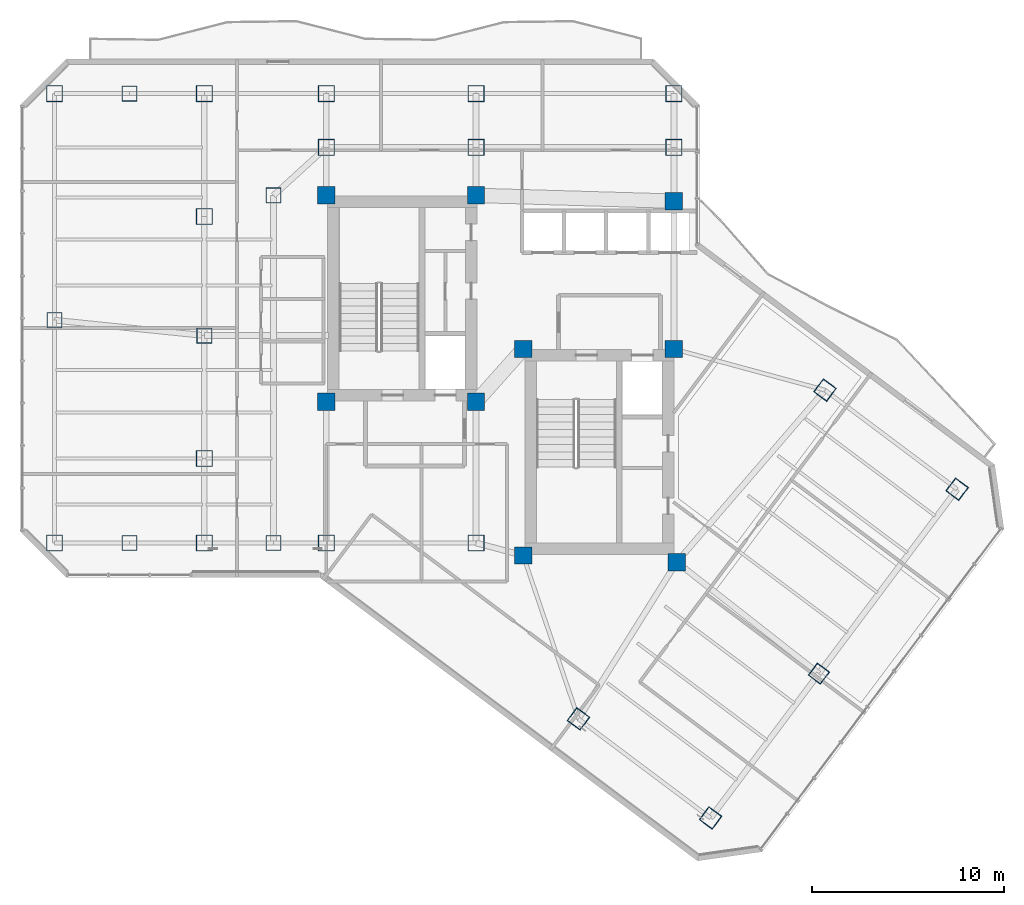
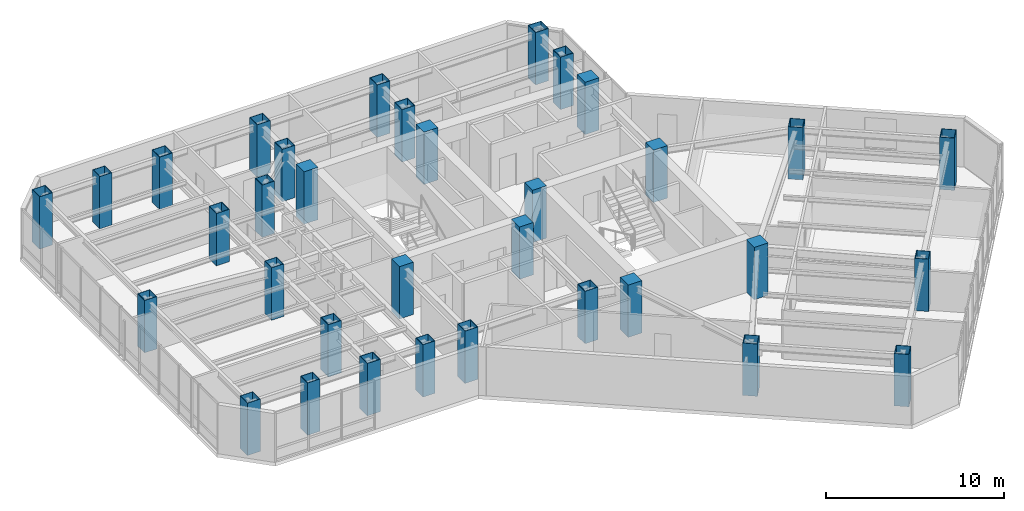
# One storey, part 1 of 27: 34 columns.
"""IFC4 building model written with IfcOpenShell, lengths in metres."""

from ifc_helpers import new_model, si_unit, direction, frame, origin, origin_2d, place, context, subcontext, project, spatial, rectangle, hollow_rectangle, extrude, material, material_profile, profile_set, type_object, element, save


model = new_model("IFC4")

# Units and contexts
model_context = context("Model", 3, precision=1e-05, world=origin(), true_north=direction((0.0, 1.0)))
body_context = subcontext(model_context, "Body", "Model", "MODEL_VIEW")
ifc_project = project(units=[si_unit("LENGTHUNIT", "METRE"), si_unit("AREAUNIT", "SQUARE_METRE"), si_unit("VOLUMEUNIT", "CUBIC_METRE"), si_unit("PLANEANGLEUNIT", "RADIAN"), si_unit("MASSUNIT", "GRAM", prefix="KILO")], contexts=[model_context])

# Site, building, storey
site_placement = place(None, origin())
site = spatial("IfcSite", under=ifc_project, at=site_placement, CompositionType="ELEMENT")
building_placement = place(site_placement, origin())
building = spatial("IfcBuilding", under=site, at=building_placement, Name="Hatsunagi Terrace Concourse", CompositionType="ELEMENT")
storey_placement = place(building_placement, frame((0.0, 0.0, 142.050048828125)))
storey = spatial("IfcBuildingStorey", under=building, at=storey_placement, Name="L37", CompositionType="ELEMENT", Elevation=142.050048828125)

# Columns
ifc_material_1 = material(Name="Concrete Fc48", Category="concrete")
ifc_material_profile_1 = material_profile(ifc_material_1, rectangle(XDim=0.89990234375, YDim=0.89990234375, at=origin_2d()), Name="RC-900x900")
ifc_profile_set_1 = profile_set([ifc_material_profile_1], Name="Concrete Fc48")
column_type_1 = type_object("IfcColumnType", Name="CoreColumn_RC_900x900", PredefinedType="COLUMN", material=ifc_profile_set_1)
for number, where, z_axis, x_axis, name in (
    (1, (25.550048828125, 32.550048828125, 0.0), (0.0, 0.0, 1.0), (1.0, 0.0, 0.0), "Column C-02 L37-CASW"),
    (2, (33.35009765625, 32.550048828125, 0.0), (0.0, 0.0, 1.0), (1.0, 0.0, 0.0), "Column C-02 L37-CASE"),
    (3, (25.550048828125, 43.300048828125, 0.0), (0.0, 0.0, 1.0), (1.0, 0.0, 0.0), "Column C-02 L37-CANW"),
    (4, (33.35009765625, 43.300048828125, 0.0), (0.0, 0.0, 1.0), (1.0, 0.0, 0.0), "Column C-02 L37-CANE"),
    (5, (35.800048828125, 24.550048828125, 0.0), (0.0, 0.0, 1.0), (1.0, 0.0, 0.0), "Column C-02 L37-CBSW"),
    (6, (43.800048828125, 24.199951171875, 0.0), (0.0, 0.0, 1.0), (1.0, 0.0, 0.0), "Column C-02 L37-CBSE"),
    (7, (35.800048828125, 35.300048828125, 0.0), (0.0, 0.0, 1.0), (1.0, 0.0, 0.0), "Column C-02 L37-CBNW"),
    (8, (43.64990234375, 35.300048828125, 0.0), (0.0, 0.0, 1.0), (1.0, 0.0, 0.0), "Column C-02 L37-CBNE"),
    (9, (43.64990234375, 43.0, 0.0), (0.0, 0.0, 1.0), (1.0, 0.0, 0.0), "Column C-02 L37-K3"),
):
    element("IfcColumn", number, at=place(storey_placement, frame(where, z_axis=z_axis, x_axis=x_axis)), inside=storey, type_object=column_type_1, Name=name, PredefinedType="COLUMN", context=body_context, shape_type="SweptSolid", body=[
        extrude(rectangle(XDim=0.89990234375, YDim=0.89990234375, at=origin_2d()), origin(), (0.0, 0.0, 1.0), 3.599853515625),
    ])
ifc_material_2 = material(Name="Steel BCP325T", Category="steel")
ifc_material_profile_2 = material_profile(ifc_material_2, hollow_rectangle(XDim=0.800048828125, YDim=0.800048828125, WallThickness=0.031982421875, at=origin_2d()), Name="BCP-800x800x32")
ifc_profile_set_2 = profile_set([ifc_material_profile_2], Name="Steel BCP325T")
column_type_2 = type_object("IfcColumnType", Name="TowerBoxColumn_800x800x32", PredefinedType="COLUMN", material=ifc_profile_set_2)
for number, where, z_axis, x_axis, name in (
    (10, (22.800048828125, 25.199951171875, 0.0), (0.0, 0.0, 1.0), (1.0, 0.0, 0.0), "Column C-06 L37-CW1"),
    (11, (22.800048828125, 43.300048828125, 0.0), (0.0, 0.0, 1.0), (1.0, 0.0, 0.0), "Column C-06 L37-CW2"),
    (12, (11.39990234375, 36.800048828125, 0.0), (0.0, 0.0, 1.0), (1.0, 0.0, 0.0), "Column C-06 L37-WT1"),
    (13, (19.199951171875, 36.0, 0.0), (0.0, 0.0, 1.0), (1.0, 0.0, 0.0), "Column C-06 L37-WT2"),
    (14, (15.300048828125, 25.199951171875, 0.0), (0.0, 0.0, 1.0), (1.0, 0.0, 0.0), "Column C-06 L37-WT3"),
    (15, (15.300048828125, 48.60009765625, 0.0), (0.0, 0.0, 1.0), (1.0, 0.0, 0.0), "Column C-06 L37-WT4"),
    (16, (51.199951171875, 18.39990234375, 0.0), (0.0, 0.0, 1.0), (0.799999996291, -0.600000004945, 0.0), "Column C-06 L37-SEM2"),
):
    element("IfcColumn", number, at=place(storey_placement, frame(where, z_axis=z_axis, x_axis=x_axis)), inside=storey, type_object=column_type_2, Name=name, PredefinedType="COLUMN", context=body_context, shape_type="SweptSolid", body=[
        extrude(hollow_rectangle(XDim=0.800048828125, YDim=0.800048828125, WallThickness=0.031982421875, at=origin_2d()), origin(), (0.0, 0.0, 1.0), 3.599853515625),
    ])
ifc_material_3 = material(Name="Steel BCP325T", Category="steel")
ifc_material_profile_3 = material_profile(ifc_material_3, hollow_rectangle(XDim=0.85009765625, YDim=0.85009765625, WallThickness=0.031982421875, at=origin_2d()), Name="BCP-850x850x32")
ifc_profile_set_3 = profile_set([ifc_material_profile_3], Name="Steel BCP325T")
column_type_3 = type_object("IfcColumnType", Name="TowerBoxColumn_850x850x32", PredefinedType="COLUMN", material=ifc_profile_set_3)
for number, where, z_axis, x_axis, name in (
    (17, (25.550048828125, 25.199951171875, 0.0), (0.0, 0.0, 1.0), (1.0, 0.0, 0.0), "Column C-05 L37-K1"),
    (18, (33.35009765625, 25.199951171875, 0.0), (0.0, 0.0, 1.0), (1.0, 0.0, 0.0), "Column C-05 L37-K2"),
    (19, (25.550048828125, 45.800048828125, 0.0), (0.0, 0.0, 1.0), (1.0, 0.0, 0.0), "Column C-05 L37-CN1"),
    (20, (33.35009765625, 45.800048828125, 0.0), (0.0, 0.0, 1.0), (1.0, 0.0, 0.0), "Column C-05 L37-CN2"),
    (21, (43.64990234375, 45.800048828125, 0.0), (0.0, 0.0, 1.0), (1.0, 0.0, 0.0), "Column C-05 L37-CN3"),
    (22, (11.39990234375, 25.199951171875, 0.0), (0.0, 0.0, 1.0), (1.0, 0.0, 0.0), "Column C-05 L37-WS2"),
    (23, (11.39990234375, 48.60009765625, 0.0), (0.0, 0.0, 1.0), (1.0, 0.0, 0.0), "Column C-05 L37-WN2"),
    (24, (19.199951171875, 48.60009765625, 0.0), (0.0, 0.0, 1.0), (1.0, 0.0, 0.0), "Column C-05 L37-WN3"),
    (25, (25.550048828125, 48.60009765625, 0.0), (0.0, 0.0, 1.0), (1.0, 0.0, 0.0), "Column C-05 L37-WN4"),
    (26, (33.35009765625, 48.60009765625, 0.0), (0.0, 0.0, 1.0), (1.0, 0.0, 0.0), "Column C-05 L37-WN5"),
    (27, (43.64990234375, 48.60009765625, 0.0), (0.0, 0.0, 1.0), (1.0, 0.0, 0.0), "Column C-05 L37-WN6"),
    (28, (19.199951171875, 25.199951171875, 0.0), (0.0, 0.0, 1.0), (1.0, 0.0, 0.0), "Column C-05 L37-WS3"),
    (29, (19.199951171875, 29.60009765625, 0.0), (0.0, 0.0, 1.0), (1.0, 0.0, 0.0), "Column C-05 L37-WR1"),
    (30, (19.199951171875, 42.199951171875, 0.0), (0.0, 0.0, 1.0), (1.0, 0.0, 0.0), "Column C-05 L37-WR2"),
    (31, (38.679931640625, 16.0400390625, 0.0), (0.0, 0.0, 1.0), (0.799999996291, -0.600000004945, 0.0), "Column C-05 L37-SES1"),
    (32, (51.52001953125, 33.159912109375, 0.0), (0.0, 0.0, 1.0), (0.799999996291, -0.600000004945, 0.0), "Column C-05 L37-SEN1"),
    (33, (45.56005859375, 10.8798828125, 0.0), (0.0, 0.0, 1.0), (0.799999996291, -0.600000004945, 0.0), "Column C-05 L37-SES2"),
    (34, (58.39990234375, 28.0, 0.0), (0.0, 0.0, 1.0), (0.799999996291, -0.600000004945, 0.0), "Column C-05 L37-SEN2"),
):
    element("IfcColumn", number, at=place(storey_placement, frame(where, z_axis=z_axis, x_axis=x_axis)), inside=storey, type_object=column_type_3, Name=name, PredefinedType="COLUMN", context=body_context, shape_type="SweptSolid", body=[
        extrude(hollow_rectangle(XDim=0.85009765625, YDim=0.85009765625, WallThickness=0.031982421875, at=origin_2d()), origin(), (0.0, 0.0, 1.0), 3.599853515625),
    ])

save(model, "model.ifc")
